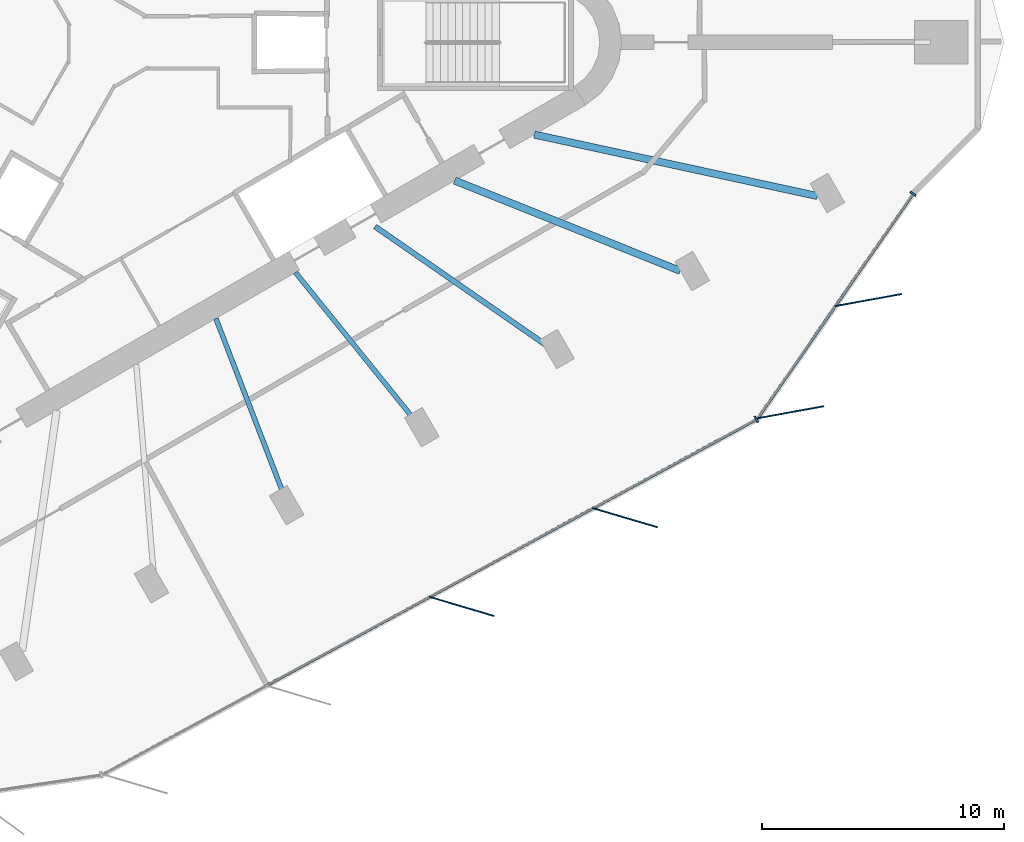
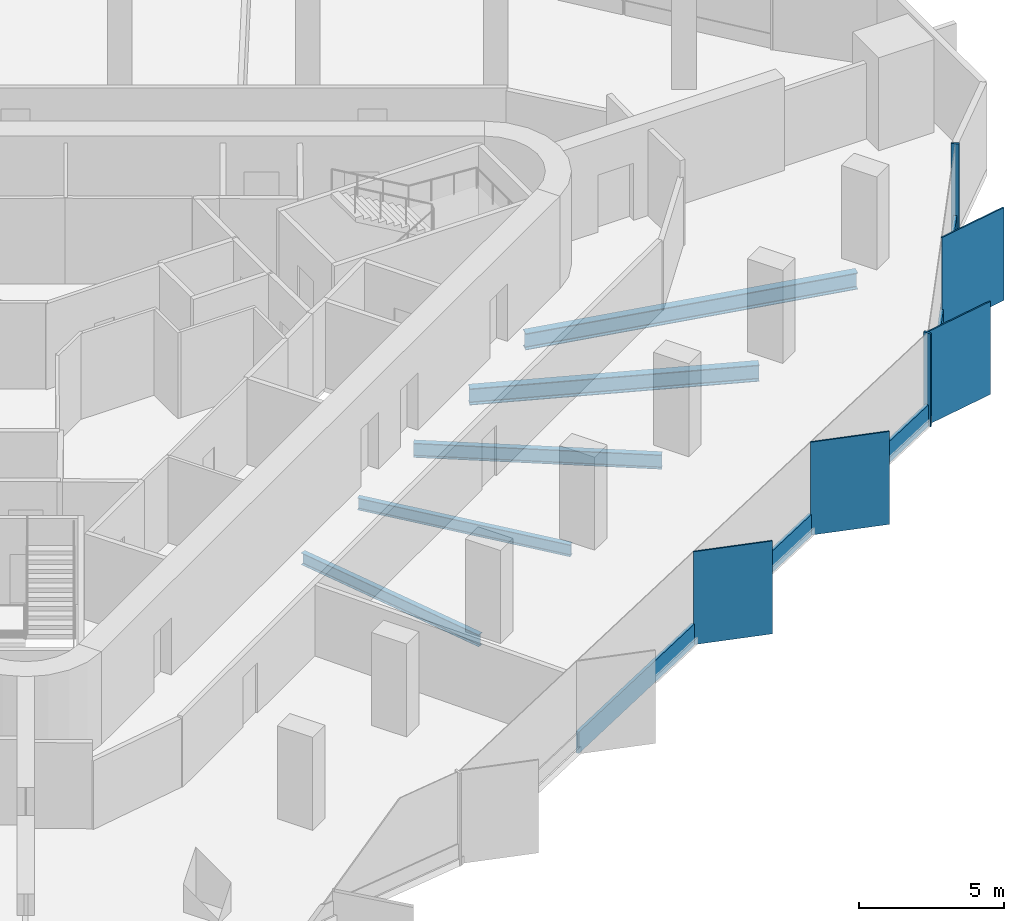
# One storey, part 3 of 13: 11 members, 5 beams, 2 elements without a shape of their own.
"""IFC4 building model written with IfcOpenShell, lengths in metres."""

from ifc_helpers import new_model, si_unit, direction, frame, origin, origin_2d, place, context, subcontext, project, spatial, rectangle, i_section, extrude, material, material_profile, profile_set, type_object, element, aggregate, save


model = new_model("IFC4")

# Units and contexts
model_context = context("Model", 3, precision=1e-05, world=origin(), true_north=direction((0.0, 1.0)))
body_context = subcontext(model_context, "Body", "Model", "MODEL_VIEW")
ifc_project = project(units=[si_unit("LENGTHUNIT", "METRE"), si_unit("AREAUNIT", "SQUARE_METRE"), si_unit("VOLUMEUNIT", "CUBIC_METRE"), si_unit("PLANEANGLEUNIT", "RADIAN"), si_unit("MASSUNIT", "GRAM", prefix="KILO")], contexts=[model_context])

# Site, building, storey
site_placement = place(None, origin())
site = spatial("IfcSite", under=ifc_project, at=site_placement, CompositionType="ELEMENT")
building_placement = place(site_placement, origin())
building = spatial("IfcBuilding", under=site, at=building_placement, Name="Tanit Gate Tower", CompositionType="ELEMENT")
storey_placement = place(building_placement, frame((0.0, 0.0, 322.10009765625)))
storey = spatial("IfcBuildingStorey", under=building, at=storey_placement, Name="L72", CompositionType="ELEMENT", Elevation=322.10009765625)

# Curtain wall, members
ifc_material_1 = material(Name="Aluminium bronze anodised and glass", Category="aluminium")
curtain_wall_type = type_object("IfcCurtainWallType", Name="Curtain wall typical high", PredefinedType="NOTDEFINED", material=ifc_material_1)
curtain_wall_1_placement = place(storey_placement, origin())
curtain_wall_1 = element("IfcCurtainWall", 1, at=curtain_wall_1_placement, inside=storey, type_object=curtain_wall_type, Name="Curtain wall L72 SE2", PredefinedType="NOTDEFINED")
ifc_material_2 = material(Name="Aluminium bronze anodised", Category="aluminium")
ifc_material_profile_1 = material_profile(ifc_material_2, rectangle(XDim=2.800048828125, YDim=0.055908203125, at=origin_2d()), Name="56x2800 bronze fin mullion")
ifc_profile_set_1 = profile_set([ifc_material_profile_1], Name="Aluminium bronze anodised")
member_type_1 = type_object("IfcMemberType", Name="FIN MULLION 56x2800 bronze", PredefinedType="MULLION", material=ifc_profile_set_1)
member_1_placement = place(storey_placement, frame((14.5791015625, -23.3525390625, -0.300048828125), z_axis=(0.0, 0.0, 1.0), x_axis=(-0.958852239174, 0.283905588939, 0.0)))
member_1 = element("IfcMember", 2, at=member_1_placement, type_object=member_type_1, Name="Fin mullion L72 SE2.3", PredefinedType="MULLION", context=body_context, shape_type="SweptSolid", body=[
    extrude(rectangle(XDim=2.800048828125, YDim=0.055908203125, at=origin_2d()), origin(), (0.0, 0.0, 1.0), 3.89990234375),
])
member_2_placement = place(storey_placement, frame((21.343505859375, -19.6787109375, -0.300048828125), z_axis=(0.0, 0.0, 1.0), x_axis=(-0.958852239174, 0.283905588939, 0.0)))
member_2 = element("IfcMember", 3, at=member_2_placement, type_object=member_type_1, Name="Fin mullion L72 SE2.4", PredefinedType="MULLION", context=body_context, shape_type="SweptSolid", body=[
    extrude(rectangle(XDim=2.800048828125, YDim=0.055908203125, at=origin_2d()), origin(), (0.0, 0.0, 1.0), 3.89990234375),
])

curtain_wall_2_placement = place(storey_placement, origin())
curtain_wall_2 = element("IfcCurtainWall", 4, at=curtain_wall_2_placement, inside=storey, type_object=curtain_wall_type, Name="Curtain wall L72 SE3", PredefinedType="NOTDEFINED")
member_3_placement = place(storey_placement, frame((28.2001953125, -15.314208984375, -0.300048828125), z_axis=(0.0, 0.0, 1.0), x_axis=(-0.983865562585, -0.178909347882, 0.0)))
member_3 = element("IfcMember", 5, at=member_3_placement, type_object=member_type_1, Name="Fin mullion L72 SE3.1", PredefinedType="MULLION", context=body_context, shape_type="SweptSolid", body=[
    extrude(rectangle(XDim=2.800048828125, YDim=0.055908203125, at=origin_2d()), origin(), (0.0, 0.0, 1.0), 3.89990234375),
])
member_4_placement = place(storey_placement, frame((31.416015625, -10.669189453125, -0.300048828125), z_axis=(0.0, 0.0, 1.0), x_axis=(-0.983865562585, -0.178909347882, 0.0)))
member_4 = element("IfcMember", 6, at=member_4_placement, type_object=member_type_1, Name="Fin mullion L72 SE3.2", PredefinedType="MULLION", context=body_context, shape_type="SweptSolid", body=[
    extrude(rectangle(XDim=2.800048828125, YDim=0.055908203125, at=origin_2d()), origin(), (0.0, 0.0, 1.0), 3.89990234375),
])

# Member
ifc_material_3 = material(Name="Aluminium bronze anodised", Category="aluminium")
ifc_material_profile_2 = material_profile(ifc_material_3, rectangle(XDim=0.280029296875, YDim=0.080078125, at=origin_2d()), Name="80x280 bronze mullion")
ifc_profile_set_2 = profile_set([ifc_material_profile_2], Name="Aluminium bronze anodised")
member_type_2 = type_object("IfcMemberType", Name="Mullion 80x280 typical high", PredefinedType="MULLION", material=ifc_profile_set_2)
member_5_placement = place(storey_placement, frame((26.784423828125, -15.613037109375, -0.300048828125), z_axis=(0.0, 0.0, 1.0), x_axis=(-0.477259353321, 0.878762487631, 0.0)))
member_5 = element("IfcMember", 7, at=member_5_placement, type_object=member_type_2, Name="Mullion L72 SE2.5", PredefinedType="MULLION", context=body_context, shape_type="SweptSolid", body=[
    extrude(rectangle(XDim=0.280029296875, YDim=0.080078125, at=origin_2d()), origin(), (0.0, 0.0, 1.0), 3.89990234375),
])

member_6_placement = place(storey_placement, frame((33.273681640625, -6.27099609375, -0.300048828125), z_axis=(0.0, 0.0, 1.0), x_axis=(-0.822206024185, 0.569189997974, 0.0)))
member_6 = element("IfcMember", 8, at=member_6_placement, type_object=member_type_2, Name="Mullion L72 SE3.3", PredefinedType="MULLION", context=body_context, shape_type="SweptSolid", body=[
    extrude(rectangle(XDim=0.280029296875, YDim=0.080078125, at=origin_2d()), origin(), (0.0, 0.0, 1.0), 3.89990234375),
])

# Beams
ifc_material_4 = material(Name="Steel S355", Category="steel")
ifc_material_profile_3 = material_profile(ifc_material_4, i_section(OverallWidth=0.300048828125, OverallDepth=0.68994140625, WebThickness=0.014404296875, FlangeThickness=0.027099609375, FilletRadius=0.027099609375, at=origin_2d()), Name="HEA 700")
ifc_profile_set_3 = profile_set([ifc_material_profile_3], Name="Steel S355")
beam_type_1 = type_object("IfcBeamType", Name="RADIAL GIRDER HEA 700 S355", PredefinedType="BEAM", material=ifc_profile_set_3)
beam_1_placement = place(storey_placement, frame((23.631103515625, -9.461181640625, -0.64501953125), z_axis=(-0.928359475125, 0.371683581753, 0.0), x_axis=(-0.371683581753, -0.928359475125, 0.0)))
element("IfcBeam", 9, at=beam_1_placement, inside=storey, type_object=beam_type_1, Name="RADIAL GIRDER", PredefinedType="BEAM", context=body_context, shape_type="SweptSolid", body=[
    extrude(i_section(OverallWidth=0.300048828125, OverallDepth=0.68994140625, WebThickness=0.014404296875, FlangeThickness=0.027099609375, FilletRadius=0.027099609375, at=origin_2d()), origin(), (0.0, 0.0, 1.0), 10.05908203125),
])
beam_2_placement = place(storey_placement, frame((29.306396484375, -6.36279296875, -0.64501953125), z_axis=(-0.977231463817, 0.212176026275, 0.0), x_axis=(-0.212176026275, -0.977231463817, 0.0)))
element("IfcBeam", 10, at=beam_2_placement, inside=storey, type_object=beam_type_1, Name="RADIAL GIRDER", PredefinedType="BEAM", context=body_context, shape_type="SweptSolid", body=[
    extrude(i_section(OverallWidth=0.300048828125, OverallDepth=0.68994140625, WebThickness=0.014404296875, FlangeThickness=0.027099609375, FilletRadius=0.027099609375, at=origin_2d()), origin(), (0.0, 0.0, 1.0), 11.98974609375),
])
ifc_material_5 = material(Name="Steel S355", Category="steel")
ifc_material_profile_4 = material_profile(ifc_material_5, i_section(OverallWidth=0.199951171875, OverallDepth=0.5, WebThickness=0.01025390625, FlangeThickness=0.01611328125, FilletRadius=0.02099609375, at=origin_2d()), Name="IPE 500")
ifc_profile_set_4 = profile_set([ifc_material_profile_4], Name="Steel S355")
beam_type_2 = type_object("IfcBeamType", Name="RADIAL GIRDER IPE 500 S355", PredefinedType="BEAM", material=ifc_profile_set_4)
beam_3_placement = place(storey_placement, frame((7.22119140625, -18.751220703125, -0.550048828125), z_axis=(-0.359385809885, 0.933189069617, 0.0), x_axis=(-0.933189069617, -0.359385809885, 0.0)))
element("IfcBeam", 11, at=beam_3_placement, inside=storey, type_object=beam_type_2, Name="RADIAL GIRDER", PredefinedType="BEAM", context=body_context, shape_type="SweptSolid", body=[
    extrude(i_section(OverallWidth=0.199951171875, OverallDepth=0.5, WebThickness=0.01025390625, FlangeThickness=0.01611328125, FilletRadius=0.02099609375, at=origin_2d()), origin(), (0.0, 0.0, 1.0), 7.8427734375),
])
beam_4_placement = place(storey_placement, frame((12.62841796875, -15.62939453125, -0.550048828125), z_axis=(-0.628491429151, 0.777816510164, 0.0), x_axis=(-0.777816510164, -0.628491429151, 0.0)))
element("IfcBeam", 12, at=beam_4_placement, inside=storey, type_object=beam_type_2, Name="RADIAL GIRDER", PredefinedType="BEAM", context=body_context, shape_type="SweptSolid", body=[
    extrude(i_section(OverallWidth=0.199951171875, OverallDepth=0.5, WebThickness=0.01025390625, FlangeThickness=0.01611328125, FilletRadius=0.02099609375, at=origin_2d()), origin(), (0.0, 0.0, 1.0), 7.843017578125),
])
ifc_material_6 = material(Name="Steel S355", Category="steel")
ifc_material_profile_5 = material_profile(ifc_material_6, i_section(OverallWidth=0.219970703125, OverallDepth=0.60009765625, WebThickness=0.011962890625, FlangeThickness=0.01904296875, FilletRadius=0.02392578125, at=origin_2d()), Name="IPE 600")
ifc_profile_set_5 = profile_set([ifc_material_profile_5], Name="Steel S355")
beam_type_3 = type_object("IfcBeamType", Name="RADIAL GIRDER IPE 600 S355", PredefinedType="BEAM", material=ifc_profile_set_5)
beam_5_placement = place(storey_placement, frame((18.03564453125, -12.50732421875, -0.60009765625), z_axis=(-0.821738455581, 0.569864817847, 0.0), x_axis=(-0.569864817847, -0.821738455581, 0.0)))
element("IfcBeam", 13, at=beam_5_placement, inside=storey, type_object=beam_type_3, Name="RADIAL GIRDER", PredefinedType="BEAM", context=body_context, shape_type="SweptSolid", body=[
    extrude(i_section(OverallWidth=0.219970703125, OverallDepth=0.60009765625, WebThickness=0.011962890625, FlangeThickness=0.01904296875, FilletRadius=0.02392578125, at=origin_2d()), origin(), (0.0, 0.0, 1.0), 8.566650390625),
])

# Member
ifc_material_7 = material(Name="Aluminium bronze anodised", Category="aluminium")
ifc_material_profile_6 = material_profile(ifc_material_7, rectangle(XDim=0.1201171875, YDim=0.89990234375, at=origin_2d()), Name="120x900 bronze transom")
ifc_profile_set_6 = profile_set([ifc_material_profile_6], Name="Aluminium bronze anodised")
member_type_3 = type_object("IfcMemberType", Name="Transom 120x900 typical high", PredefinedType="USERDEFINED", material=ifc_profile_set_6)
member_7_placement = place(storey_placement, frame((6.5263671875, -26.615234375, 0.14990234375), z_axis=(0.878767412966, 0.477250284346, 0.0), x_axis=(-0.477250284346, 0.878767412966, 0.0)))
member_7 = element("IfcMember", 14, at=member_7_placement, type_object=member_type_3, Name="Transom L72 SE2.2", ObjectType="TRANSOM", PredefinedType="USERDEFINED", context=body_context, shape_type="SweptSolid", body=[
    extrude(rectangle(XDim=0.1201171875, YDim=0.89990234375, at=origin_2d()), origin(), (0.0, 0.0, 1.0), 7.61767578125),
])

member_8_placement = place(storey_placement, frame((13.290771484375, -22.94140625, 0.14990234375), z_axis=(0.878767412966, 0.477250284346, 0.0), x_axis=(-0.477250284346, 0.878767412966, 0.0)))
member_8 = element("IfcMember", 15, at=member_8_placement, type_object=member_type_3, Name="Transom L72 SE2.3", ObjectType="TRANSOM", PredefinedType="USERDEFINED", context=body_context, shape_type="SweptSolid", body=[
    extrude(rectangle(XDim=0.1201171875, YDim=0.89990234375, at=origin_2d()), origin(), (0.0, 0.0, 1.0), 7.61767578125),
])

member_9_placement = place(storey_placement, frame((20.05517578125, -19.267822265625, 0.14990234375), z_axis=(0.878767412966, 0.477250284346, 0.0), x_axis=(-0.477250284346, 0.878767412966, 0.0)))
member_9 = element("IfcMember", 16, at=member_9_placement, type_object=member_type_3, Name="Transom L72 SE2.4", ObjectType="TRANSOM", PredefinedType="USERDEFINED", context=body_context, shape_type="SweptSolid", body=[
    extrude(rectangle(XDim=0.1201171875, YDim=0.89990234375, at=origin_2d()), origin(), (0.0, 0.0, 1.0), 7.61767578125),
])

aggregate(curtain_wall_1, [member_1, member_2, member_5, member_7, member_8, member_9])

member_10_placement = place(storey_placement, frame((26.864990234375, -15.5283203125, 0.14990234375), z_axis=(0.569191743514, 0.822204815794, 0.0), x_axis=(-0.822204815794, 0.569191743514, 0.0)))
member_10 = element("IfcMember", 17, at=member_10_placement, type_object=member_type_3, Name="Transom L72 SE3.1", ObjectType="TRANSOM", PredefinedType="USERDEFINED", context=body_context, shape_type="SweptSolid", body=[
    extrude(rectangle(XDim=0.1201171875, YDim=0.89990234375, at=origin_2d()), origin(), (0.0, 0.0, 1.0), 5.569580078125),
])

member_11_placement = place(storey_placement, frame((30.080810546875, -10.883056640625, 0.14990234375), z_axis=(0.569212258307, 0.82219061354, 0.0), x_axis=(-0.82219061354, 0.569212258307, 0.0)))
member_11 = element("IfcMember", 18, at=member_11_placement, type_object=member_type_3, Name="Transom L72 SE3.2", ObjectType="TRANSOM", PredefinedType="USERDEFINED", context=body_context, shape_type="SweptSolid", body=[
    extrude(rectangle(XDim=0.1201171875, YDim=0.89990234375, at=origin_2d()), origin(), (0.0, 0.0, 1.0), 5.5693359375),
])

aggregate(curtain_wall_2, [member_3, member_4, member_6, member_10, member_11])

save(model, "model.ifc")
